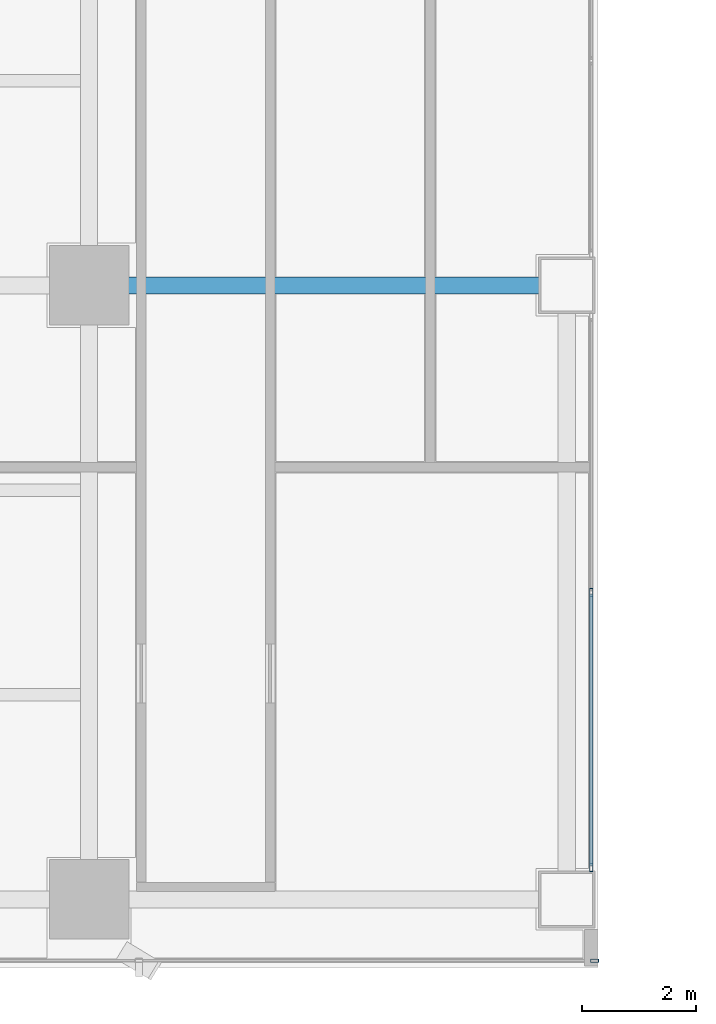
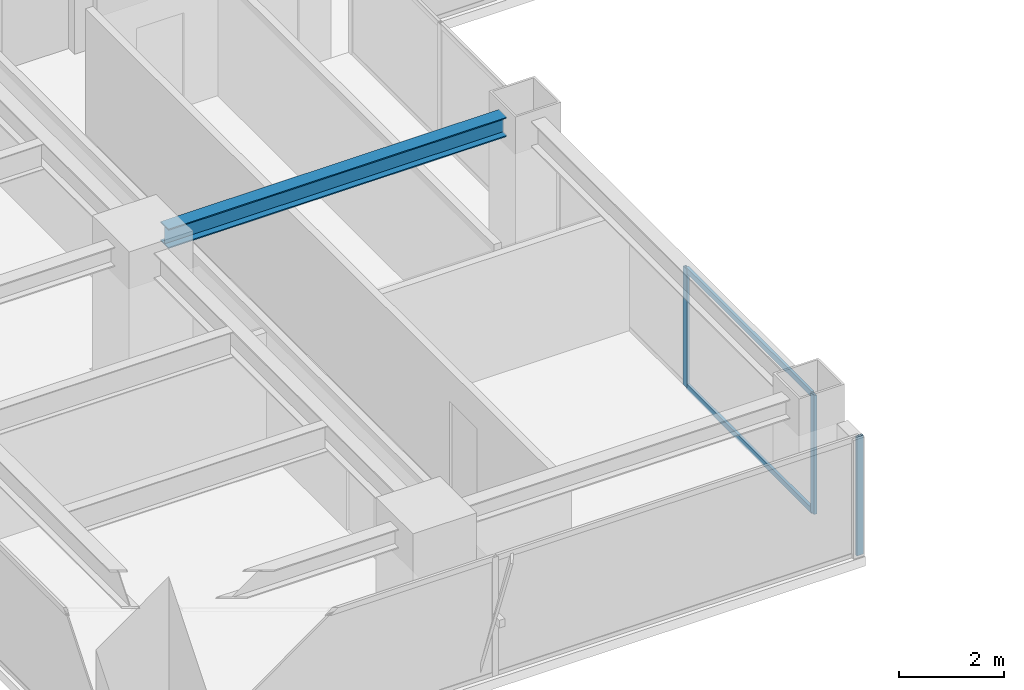
# One storey, part 5 of 31: 5 members, 1 beam, 2 elements without a shape of their own.
"""IFC4 building model written with IfcOpenShell, lengths in metres."""

from ifc_helpers import new_model, si_unit, direction, frame, origin, origin_2d, place, context, subcontext, project, spatial, hollow_rectangle, i_section, extrude, source, transform, mapped, material, layer, layer_set, material_profile, profile_set, type_object, element, aggregate, save


model = new_model("IFC4")

# Units and contexts
model_context = context("Model", 3, precision=1e-05, world=origin(), true_north=direction((0.0, 1.0)))
body_context = subcontext(model_context, "Body", "Model", "MODEL_VIEW")
ifc_project = project(units=[si_unit("LENGTHUNIT", "METRE"), si_unit("AREAUNIT", "SQUARE_METRE"), si_unit("VOLUMEUNIT", "CUBIC_METRE"), si_unit("PLANEANGLEUNIT", "RADIAN"), si_unit("MASSUNIT", "GRAM", prefix="KILO")], contexts=[model_context])

# Site, building, storey
site_placement = place(None, origin())
site = spatial("IfcSite", under=ifc_project, at=site_placement, CompositionType="ELEMENT")
building_placement = place(site_placement, origin())
building = spatial("IfcBuilding", under=site, at=building_placement, Name="Sumidabori Civic Tower", CompositionType="ELEMENT")
storey_placement = place(building_placement, frame((0.0, 0.0, 221.60009765625)))
storey = spatial("IfcBuildingStorey", under=building, at=storey_placement, Name="L57", CompositionType="ELEMENT", Elevation=221.60009765625)

# Beam
ifc_material_1 = material(Name="Steel SN490", Category="steel")
ifc_material_profile_1 = material_profile(ifc_material_1, i_section(OverallWidth=0.300048828125, OverallDepth=0.449951171875, WebThickness=0.013916015625, FlangeThickness=0.02587890625, at=origin_2d()), Name="HE 450 B")
ifc_profile_set_1 = profile_set([ifc_material_profile_1], Name="Steel SN490")
beam_type = type_object("IfcBeamType", Name="BM-GIRD-450", PredefinedType="BEAM", material=ifc_profile_set_1)
shared_shape_1 = source(origin(), body_context, "Body", "SweptSolid", [
    extrude(i_section(OverallWidth=0.300048828125, OverallDepth=0.449951171875, WebThickness=0.013916015625, FlangeThickness=0.02587890625, at=origin_2d()), origin(), (0.0, 0.0, 1.0), 7.440185546875),
])
beam_placement = place(storey_placement, frame((-16.320068359375, 0.0, 3.15478515625), z_axis=(1.0, 0.0, 0.0), x_axis=(0.0, 1.0, 0.0)))
element("IfcBeam", 1, at=beam_placement, inside=storey, type_object=beam_type, Name="Primary Girder L57 GX-06", PredefinedType="BEAM", context=body_context, shape_type="MappedRepresentation", body=[
    mapped(shared_shape_1, transform((0.0, 0.0, 0.0), x_axis=(1.0, 0.0, 0.0), y_axis=(0.0, 1.0, 0.0), z_axis=(0.0, 0.0, 1.0), scale=1.0)),
])

# Curtain wall, member
ifc_material_2 = material(Name="Anodised Bronze Aluminium AW-6063-T6", Category="aluminium")
ifc_layer_1 = layer(ifc_material_2, 0.179931640625, Name="Anodised Bronze Aluminium AW-6063-T6")
ifc_layer_set_1 = layer_set([ifc_layer_1], Name="Anodised Bronze Aluminium AW-6063-T6")
curtain_wall_type_1 = type_object("IfcCurtainWallType", Name="CW-SYS-5", PredefinedType="NOTDEFINED", material=ifc_layer_set_1)
curtain_wall_1_placement = place(storey_placement, origin())
curtain_wall_1 = element("IfcCurtainWall", 2, at=curtain_wall_1_placement, inside=storey, type_object=curtain_wall_type_1, Name="Curtain Wall CW:L57:R01", PredefinedType="NOTDEFINED")
ifc_material_profile_2 = material_profile(ifc_material_2, hollow_rectangle(XDim=0.06005859375, YDim=0.139892578125, WallThickness=0.0048828125, at=origin_2d()), Name="ALU MULLION 140x60")
ifc_profile_set_2 = profile_set([ifc_material_profile_2], Name="Anodised Bronze Aluminium AW-6063-T6")
member_type_1 = type_object("IfcMemberType", Name="CW-MUL-140", PredefinedType="MULLION", material=ifc_profile_set_2)
shared_shape_2 = source(origin(), body_context, "Body", "SweptSolid", [
    extrude(hollow_rectangle(XDim=0.06005859375, YDim=0.139892578125, WallThickness=0.0048828125, at=origin_2d()), origin(), (0.0, 0.0, 1.0), 2.760009765625),
])
member_1_placement = place(storey_placement, frame((-7.909912109375, -11.8798828125, 0.0), z_axis=(0.0, 0.0, 1.0), x_axis=(0.0, 1.0, 0.0)))
member_1 = element("IfcMember", 3, at=member_1_placement, type_object=member_type_1, Name="CW-5 mullion 3", PredefinedType="MULLION", context=body_context, shape_type="MappedRepresentation", body=[
    mapped(shared_shape_2, transform((0.0, 0.0, 0.0), x_axis=(1.0, 0.0, 0.0), y_axis=(0.0, 1.0, 0.0), z_axis=(0.0, 0.0, 1.0), scale=1.0)),
])
aggregate(curtain_wall_1, [member_1])

# Curtain wall, members
ifc_layer_2 = layer(ifc_material_2, 0.179931640625, Name="Anodised Bronze Aluminium AW-6063-T6")
ifc_layer_set_2 = layer_set([ifc_layer_2], Name="Anodised Bronze Aluminium AW-6063-T6")
curtain_wall_type_2 = type_object("IfcCurtainWallType", Name="CW-SYS-4", PredefinedType="NOTDEFINED", material=ifc_layer_set_2)
curtain_wall_2_placement = place(storey_placement, origin())
curtain_wall_2 = element("IfcCurtainWall", 4, at=curtain_wall_2_placement, inside=storey, type_object=curtain_wall_type_2, Name="Curtain Wall CW:L57:R03", PredefinedType="NOTDEFINED")
member_2_placement = place(storey_placement, frame((-7.969970703125, -10.239990234375, 0.0), z_axis=(0.0, 0.0, 1.0), x_axis=(-1.0, 0.0, 0.0)))
member_2 = element("IfcMember", 5, at=member_2_placement, type_object=member_type_1, Name="CW-4 mullion 1", PredefinedType="MULLION", context=body_context, shape_type="MappedRepresentation", body=[
    mapped(shared_shape_2, transform((0.0, 0.0, 0.0), x_axis=(1.0, 0.0, 0.0), y_axis=(0.0, 1.0, 0.0), z_axis=(0.0, 0.0, 1.0), scale=1.0)),
])
member_3_placement = place(storey_placement, frame((-7.969970703125, -5.39990234375, 0.0), z_axis=(0.0, 0.0, 1.0), x_axis=(-1.0, 0.0, 0.0)))
member_3 = element("IfcMember", 6, at=member_3_placement, type_object=member_type_1, Name="CW-4 mullion 2", PredefinedType="MULLION", context=body_context, shape_type="MappedRepresentation", body=[
    mapped(shared_shape_2, transform((0.0, 0.0, 0.0), x_axis=(1.0, 0.0, 0.0), y_axis=(0.0, 1.0, 0.0), z_axis=(0.0, 0.0, 1.0), scale=1.0)),
])
ifc_material_profile_3 = material_profile(ifc_material_2, hollow_rectangle(XDim=0.06005859375, YDim=0.1298828125, WallThickness=0.0048828125, at=origin_2d()), Name="ALU TRANSOM 130x60")
ifc_profile_set_3 = profile_set([ifc_material_profile_3], Name="Anodised Bronze Aluminium AW-6063-T6")
member_type_2 = type_object("IfcMemberType", Name="CW-TRN-130", PredefinedType="USERDEFINED", material=ifc_profile_set_3)
shared_shape_3 = source(origin(), body_context, "Body", "SweptSolid", [
    extrude(hollow_rectangle(XDim=0.06005859375, YDim=0.1298828125, WallThickness=0.0048828125, at=origin_2d()), origin(), (0.0, 0.0, 1.0), 4.780029296875),
])
member_4_placement = place(storey_placement, frame((-7.969970703125, -10.2099609375, 0.02978515625), z_axis=(0.0, 1.0, 0.0), x_axis=(-1.0, 0.0, 0.0)))
member_4 = element("IfcMember", 7, at=member_4_placement, type_object=member_type_2, Name="CW-4 transom 1.1", ObjectType="TRANSOM", PredefinedType="USERDEFINED", context=body_context, shape_type="MappedRepresentation", body=[
    mapped(shared_shape_3, transform((0.0, 0.0, 0.0), x_axis=(1.0, 0.0, 0.0), y_axis=(0.0, 1.0, 0.0), z_axis=(0.0, 0.0, 1.0), scale=1.0)),
])
member_5_placement = place(storey_placement, frame((-7.969970703125, -10.2099609375, 2.72998046875), z_axis=(0.0, 1.0, 0.0), x_axis=(-1.0, 0.0, 0.0)))
member_5 = element("IfcMember", 8, at=member_5_placement, type_object=member_type_2, Name="CW-4 transom 1.2", ObjectType="TRANSOM", PredefinedType="USERDEFINED", context=body_context, shape_type="MappedRepresentation", body=[
    mapped(shared_shape_3, transform((0.0, 0.0, 0.0), x_axis=(1.0, 0.0, 0.0), y_axis=(0.0, 1.0, 0.0), z_axis=(0.0, 0.0, 1.0), scale=1.0)),
])
aggregate(curtain_wall_2, [member_2, member_3, member_4, member_5])

save(model, "model.ifc")
